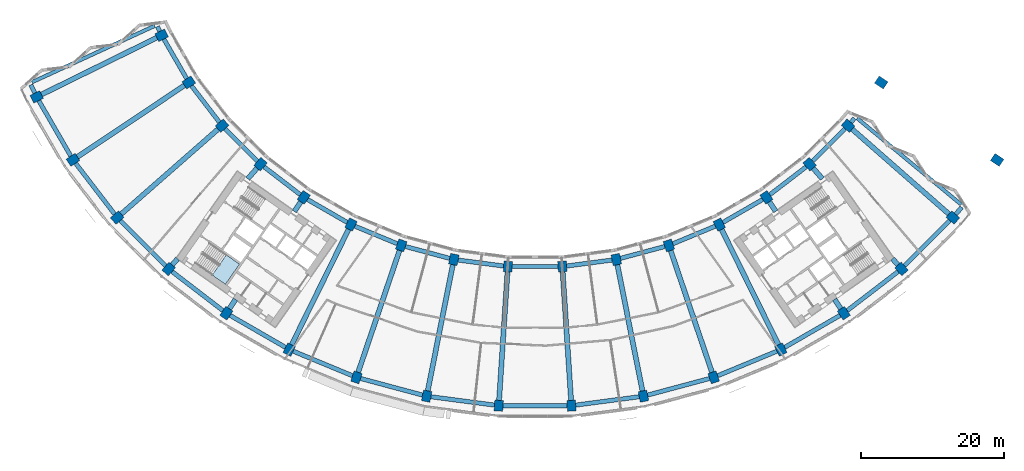
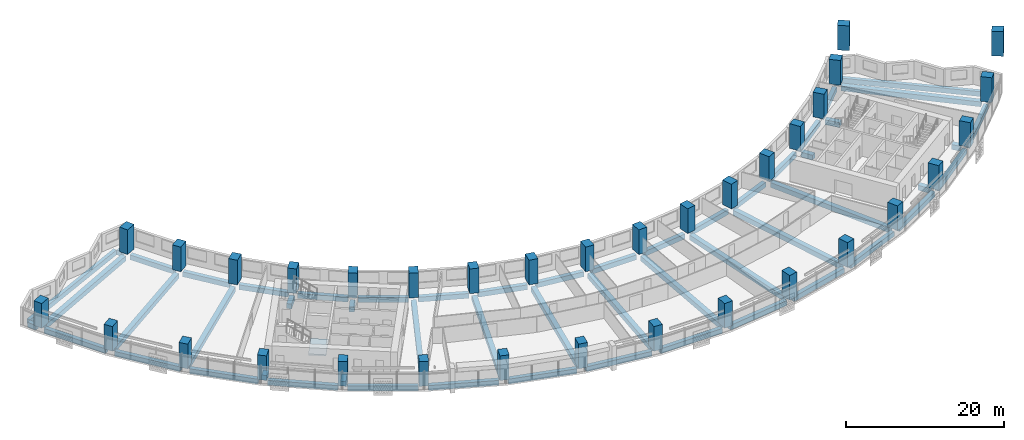
# One storey, part 1 of 29: 56 beams, 34 columns, 1 slab, 1 element without a shape of its own.
"""IFC4 building model written with IfcOpenShell, lengths in metres."""

from ifc_helpers import new_model, si_unit, direction, frame, origin, origin_2d, place, context, subcontext, project, spatial, polyline, rectangle, outline, extrude, material, layer, layer_set, material_profile, profile_set, type_object, element, aggregate, save


model = new_model("IFC4")

# Units and contexts
model_context = context("Model", 3, precision=1e-05, world=origin(), true_north=direction((0.0, 1.0)))
body_context = subcontext(model_context, "Body", "Model", "MODEL_VIEW")
ifc_project = project(units=[si_unit("LENGTHUNIT", "METRE"), si_unit("AREAUNIT", "SQUARE_METRE"), si_unit("VOLUMEUNIT", "CUBIC_METRE"), si_unit("PLANEANGLEUNIT", "RADIAN"), si_unit("MASSUNIT", "GRAM", prefix="KILO")], contexts=[model_context])

# Site, building, storey
site_placement = place(None, origin())
site = spatial("IfcSite", under=ifc_project, at=site_placement, CompositionType="ELEMENT")
building_placement = place(site_placement, origin())
building = spatial("IfcBuilding", under=site, at=building_placement, Name="Qamariyya Broadcast Tower", CompositionType="ELEMENT")
storey_placement = place(building_placement, frame((0.0, 0.0, 106.300048828125)))
storey = spatial("IfcBuildingStorey", under=building, at=storey_placement, Name="L23", CompositionType="ELEMENT", Elevation=106.300048828125)

# Columns
ifc_material_1 = material(Name="Concrete C70/85", Category="concrete")
ifc_material_profile_1 = material_profile(ifc_material_1, rectangle(XDim=1.199951171875, YDim=1.5, at=origin_2d()))
ifc_profile_set_1 = profile_set([ifc_material_profile_1], Name="Concrete C70/85")
column_type = type_object("IfcColumnType", Name="RC column 1200 x 1500 C70/85", PredefinedType="COLUMN", material=ifc_profile_set_1)
for number, where, z_axis, x_axis, name in (
    (1, (-52.242919921875, -25.763427734375, 0.0), (0.0, 0.0, 1.0), (0.442288690219, -0.896872741533, 0.0), "Column C7 L23 B-R02"),
    (2, (-69.73193359375, -34.387939453125, 0.0), (0.0, 0.0, 1.0), (0.442288690219, -0.896872741533, 0.0), "Column C7 L23 C-R02"),
    (3, (-48.43310546875, -32.362060546875, 0.0), (0.0, 0.0, 1.0), (0.55557023302, -0.831469612303, 0.0), "Column C7 L23 B-R03"),
    (4, (-64.646728515625, -43.195556640625, 0.0), (0.0, 0.0, 1.0), (0.55557023302, -0.831469612303, 0.0), "Column C7 L23 C-R03"),
    (5, (-43.794677734375, -38.406982421875, 0.0), (0.0, 0.0, 1.0), (0.6593458151, -0.751839807479, 0.0), "Column C7 L23 B-R04"),
    (6, (-58.45556640625, -51.26416015625, 0.0), (0.0, 0.0, 1.0), (0.6593458151, -0.751839807479, 0.0), "Column C7 L23 C-R04"),
    (7, (-38.406982421875, -43.794677734375, 0.0), (0.0, 0.0, 1.0), (0.751839807479, -0.6593458151, 0.0), "Column C7 L23 B-R05"),
    (8, (-51.26416015625, -58.45556640625, 0.0), (0.0, 0.0, 1.0), (0.751839807479, -0.6593458151, 0.0), "Column C7 L23 C-R05"),
    (9, (-32.362060546875, -48.43310546875, 0.0), (0.0, 0.0, 1.0), (0.831469612303, -0.55557023302, 0.0), "Column C7 L23 B-R06"),
    (10, (-43.195556640625, -64.646728515625, 0.0), (0.0, 0.0, 1.0), (0.831469612303, -0.55557023302, 0.0), "Column C7 L23 C-R06"),
    (11, (-25.763427734375, -52.242919921875, 0.0), (0.0, 0.0, 1.0), (0.896872741533, -0.442288690219, 0.0), "Column C7 L23 B-R07"),
    (12, (-34.387939453125, -69.73193359375, 0.0), (0.0, 0.0, 1.0), (0.896872741533, -0.442288690219, 0.0), "Column C7 L23 C-R07"),
    (13, (-18.723876953125, -55.15869140625, 0.0), (0.0, 0.0, 1.0), (0.946930129495, -0.321439465303, 0.0), "Column C7 L23 B-R08"),
    (14, (-24.991943359375, -73.623779296875, 0.0), (0.0, 0.0, 1.0), (0.946930129495, -0.321439465303, 0.0), "Column C7 L23 C-R08"),
    (15, (-11.364013671875, -57.130859375, 0.0), (0.0, 0.0, 1.0), (0.980785280403, -0.195090322016, 0.0), "Column C7 L23 B-R09"),
    (16, (-15.168212890625, -76.256103515625, 0.0), (0.0, 0.0, 1.0), (0.980785280403, -0.195090322016, 0.0), "Column C7 L23 C-R09"),
    (17, (-3.809814453125, -58.125244140625, 0.0), (0.0, 0.0, 1.0), (0.997858923239, -0.06540312923, 0.0), "Column C7 L23 B-R10"),
    (18, (-5.085205078125, -77.58349609375, 0.0), (0.0, 0.0, 1.0), (0.997858923239, -0.06540312923, 0.0), "Column C7 L23 C-R10"),
    (19, (3.809814453125, -58.125244140625, 0.0), (0.0, 0.0, 1.0), (0.997858923239, 0.06540312923, 0.0), "Column C7 L23 B-R11"),
    (20, (5.085205078125, -77.58349609375, 0.0), (0.0, 0.0, 1.0), (0.997858923239, 0.06540312923, 0.0), "Column C7 L23 C-R11"),
    (21, (11.364013671875, -57.130859375, 0.0), (0.0, 0.0, 1.0), (0.980785280403, 0.195090322016, 0.0), "Column C7 L23 B-R12"),
    (22, (15.168212890625, -76.256103515625, 0.0), (0.0, 0.0, 1.0), (0.980785280403, 0.195090322016, 0.0), "Column C7 L23 C-R12"),
    (23, (18.723876953125, -55.15869140625, 0.0), (0.0, 0.0, 1.0), (0.946930129495, 0.321439465303, 0.0), "Column C7 L23 B-R13"),
    (24, (24.991943359375, -73.623779296875, 0.0), (0.0, 0.0, 1.0), (0.946930129495, 0.321439465303, 0.0), "Column C7 L23 C-R13"),
    (25, (25.763427734375, -52.242919921875, 0.0), (0.0, 0.0, 1.0), (0.896872741533, 0.442288690219, 0.0), "Column C7 L23 B-R14"),
    (26, (34.387939453125, -69.73193359375, 0.0), (0.0, 0.0, 1.0), (0.896872741533, 0.442288690219, 0.0), "Column C7 L23 C-R14"),
    (27, (32.362060546875, -48.43310546875, 0.0), (0.0, 0.0, 1.0), (0.831469612303, 0.55557023302, 0.0), "Column C7 L23 B-R15"),
    (28, (43.195556640625, -64.646728515625, 0.0), (0.0, 0.0, 1.0), (0.831469612303, 0.55557023302, 0.0), "Column C7 L23 C-R15"),
    (29, (38.406982421875, -43.794677734375, 0.0), (0.0, 0.0, 1.0), (0.751839807479, 0.6593458151, 0.0), "Column C7 L23 B-R16"),
    (30, (51.26416015625, -58.45556640625, 0.0), (0.0, 0.0, 1.0), (0.751839807479, 0.6593458151, 0.0), "Column C7 L23 C-R16"),
    (31, (43.794677734375, -38.406982421875, 0.0), (0.0, 0.0, 1.0), (0.6593458151, 0.751839807479, 0.0), "Column C7 L23 B-R17"),
    (32, (58.45556640625, -51.26416015625, 0.0), (0.0, 0.0, 1.0), (0.6593458151, 0.751839807479, 0.0), "Column C7 L23 C-R17"),
    (33, (48.43310546875, -32.362060546875, 0.0), (0.0, 0.0, 1.0), (0.55557023302, 0.831469612303, 0.0), "Column C7 L23 B-R18"),
    (34, (64.646728515625, -43.195556640625, 0.0), (0.0, 0.0, 1.0), (0.55557023302, 0.831469612303, 0.0), "Column C7 L23 C-R18"),
):
    element("IfcColumn", number, at=place(storey_placement, frame(where, z_axis=z_axis, x_axis=x_axis)), inside=storey, type_object=column_type, Name=name, PredefinedType="COLUMN", context=body_context, shape_type="SweptSolid", body=[
        extrude(rectangle(XDim=1.199951171875, YDim=1.5, at=origin_2d()), origin(), (0.0, 0.0, 1.0), 3.800048828125),
    ])

# Beams
ifc_material_2 = material(Name="Concrete C50/60", Category="concrete")
ifc_material_profile_2 = material_profile(ifc_material_2, rectangle(XDim=0.60009765625, YDim=0.75, at=origin_2d()))
ifc_profile_set_2 = profile_set([ifc_material_profile_2], Name="Concrete C50/60")
beam_type_1 = type_object("IfcBeamType", Name="RC edge beam 600 x 750 C50/60", PredefinedType="SPANDREL", material=ifc_profile_set_2)
for number, where, z_axis, x_axis, name in (
    (35, (-51.942138671875, -26.283935546875, -0.675048828125), (0.49999360328, -0.866029096901, 0.0), (0.866029096901, 0.49999360328, 0.0), "Edge beam B15 L23 B R02-R03"),
    (36, (-48.067138671875, -32.839111328125, -0.675048828125), (0.608778135192, -0.793340520906, 0.0), (0.793340520906, 0.608778135192, 0.0), "Edge beam B15 L23 B R03-R04"),
):
    element("IfcBeam", number, at=place(storey_placement, frame(where, z_axis=z_axis, x_axis=x_axis)), inside=storey, type_object=beam_type_1, Name=name, PredefinedType="SPANDREL", context=body_context, shape_type="SweptSolid", body=[
        extrude(rectangle(XDim=0.60009765625, YDim=0.75, at=origin_2d()), origin(), (0.0, 0.0, 1.0), 6.4169921875),
    ])
beam_1_placement = place(storey_placement, frame((-43.369384765625, -38.83203125, -0.675048828125), z_axis=(0.707106781187, -0.707106781187, 0.0), x_axis=(0.707106781187, 0.707106781187, 0.0)))
element("IfcBeam", 37, at=beam_1_placement, inside=storey, type_object=beam_type_1, Name="Edge beam B15 L23 B R04-R05", PredefinedType="SPANDREL", context=body_context, shape_type="SweptSolid", body=[
    extrude(rectangle(XDim=0.60009765625, YDim=0.75, at=origin_2d()), origin(), (0.0, 0.0, 1.0), 6.416748046875),
])
for number, where, z_axis, x_axis, name in (
    (38, (-37.929931640625, -44.16064453125, -0.675048828125), (0.793340520906, -0.608778135192, 0.0), (0.608778135192, 0.793340520906, 0.0), "Edge beam B15 L23 B R05-R06"),
    (39, (-31.84130859375, -48.733642578125, -0.675048828125), (0.866029096901, -0.49999360328, 0.0), (0.49999360328, 0.866029096901, 0.0), "Edge beam B15 L23 B R06-R07"),
    (40, (-25.207763671875, -52.472900390625, -0.675048828125), (0.923884212686, -0.382672133229, 0.0), (0.382672133229, 0.923884212686, 0.0), "Edge beam B15 L23 B R07-R08"),
    (41, (-18.14306640625, -55.314208984375, -0.675048828125), (0.965922916603, -0.258829903956, 0.0), (0.258829903956, 0.965922916603, 0.0), "Edge beam B15 L23 B R08-R09"),
    (42, (-10.767822265625, -57.209228515625, -0.675048828125), (0.991443543958, -0.1305361986, 0.0), (0.1305361986, 0.991443543958, 0.0), "Edge beam B15 L23 B R09-R10"),
    (43, (-3.20849609375, -58.125244140625, -0.675048828125), (1.0, 0.0, 0.0), (0.0, 1.0, 0.0), "Edge beam B15 L23 B R10-R11"),
    (44, (4.40576171875, -58.046875, -0.675048828125), (0.991443543958, 0.1305361986, 0.0), (-0.1305361986, 0.991443543958, 0.0), "Edge beam B15 L23 B R11-R12"),
    (45, (11.94482421875, -56.97509765625, -0.675048828125), (0.965922916603, 0.258829903956, 0.0), (-0.258829903956, 0.965922916603, 0.0), "Edge beam B15 L23 B R12-R13"),
    (46, (19.279296875, -54.928466796875, -0.675048828125), (0.923884212686, 0.382672133229, 0.0), (-0.382672133229, 0.923884212686, 0.0), "Edge beam B15 L23 B R13-R14"),
    (47, (26.283935546875, -51.942138671875, -0.675048828125), (0.866029096901, 0.49999360328, 0.0), (-0.49999360328, 0.866029096901, 0.0), "Edge beam B15 L23 B R14-R15"),
    (48, (32.839111328125, -48.067138671875, -0.675048828125), (0.793340520906, 0.608778135192, 0.0), (-0.608778135192, 0.793340520906, 0.0), "Edge beam B15 L23 B R15-R16"),
):
    element("IfcBeam", number, at=place(storey_placement, frame(where, z_axis=z_axis, x_axis=x_axis)), inside=storey, type_object=beam_type_1, Name=name, PredefinedType="SPANDREL", context=body_context, shape_type="SweptSolid", body=[
        extrude(rectangle(XDim=0.60009765625, YDim=0.75, at=origin_2d()), origin(), (0.0, 0.0, 1.0), 6.4169921875),
    ])
beam_2_placement = place(storey_placement, frame((38.83203125, -43.369384765625, -0.675048828125), z_axis=(0.707106781187, 0.707106781187, 0.0), x_axis=(-0.707106781187, 0.707106781187, 0.0)))
element("IfcBeam", 49, at=beam_2_placement, inside=storey, type_object=beam_type_1, Name="Edge beam B15 L23 B R16-R17", PredefinedType="SPANDREL", context=body_context, shape_type="SweptSolid", body=[
    extrude(rectangle(XDim=0.60009765625, YDim=0.75, at=origin_2d()), origin(), (0.0, 0.0, 1.0), 6.416748046875),
])
beam_3_placement = place(storey_placement, frame((-69.43115234375, -34.90869140625, -0.675048828125), z_axis=(0.499989544228, -0.866031440343, 0.0), x_axis=(0.866031440343, 0.499989544228, 0.0)))
element("IfcBeam", 50, at=beam_3_placement, inside=storey, type_object=beam_type_1, Name="Edge beam B15 L23 C R02-R03", PredefinedType="SPANDREL", context=body_context, shape_type="SweptSolid", body=[
    extrude(rectangle(XDim=0.60009765625, YDim=0.75, at=origin_2d()), origin(), (0.0, 0.0, 1.0), 8.967529296875),
])
beam_4_placement = place(storey_placement, frame((-64.28076171875, -43.672607421875, -0.675048828125), z_axis=(0.608766985019, -0.793349076984, 0.0), x_axis=(0.793349076984, 0.608766985019, 0.0)))
element("IfcBeam", 51, at=beam_4_placement, inside=storey, type_object=beam_type_1, Name="Edge beam B15 L23 C R03-R04", PredefinedType="SPANDREL", context=body_context, shape_type="SweptSolid", body=[
    extrude(rectangle(XDim=0.60009765625, YDim=0.75, at=origin_2d()), origin(), (0.0, 0.0, 1.0), 8.9677734375),
])
beam_5_placement = place(storey_placement, frame((-58.0302734375, -51.689208984375, -0.675048828125), z_axis=(0.707106781187, -0.707106781187, 0.0), x_axis=(0.707106781187, 0.707106781187, 0.0)))
element("IfcBeam", 52, at=beam_5_placement, inside=storey, type_object=beam_type_1, Name="Edge beam B15 L23 C R04-R05", PredefinedType="SPANDREL", context=body_context, shape_type="SweptSolid", body=[
    extrude(rectangle(XDim=0.60009765625, YDim=0.75, at=origin_2d()), origin(), (0.0, 0.0, 1.0), 8.967529296875),
])
beam_6_placement = place(storey_placement, frame((-50.787109375, -58.821533203125, -0.675048828125), z_axis=(0.793349076984, -0.608766985019, 0.0), x_axis=(0.608766985019, 0.793349076984, 0.0)))
element("IfcBeam", 53, at=beam_6_placement, inside=storey, type_object=beam_type_1, Name="Edge beam B15 L23 C R05-R06", PredefinedType="SPANDREL", context=body_context, shape_type="SweptSolid", body=[
    extrude(rectangle(XDim=0.60009765625, YDim=0.75, at=origin_2d()), origin(), (0.0, 0.0, 1.0), 8.9677734375),
])
beam_7_placement = place(storey_placement, frame((-42.6748046875, -64.947509765625, -0.675048828125), z_axis=(0.866031440343, -0.499989544228, 0.0), x_axis=(0.499989544228, 0.866031440343, 0.0)))
element("IfcBeam", 54, at=beam_7_placement, inside=storey, type_object=beam_type_1, Name="Edge beam B15 L23 C R06-R07", PredefinedType="SPANDREL", context=body_context, shape_type="SweptSolid", body=[
    extrude(rectangle(XDim=0.60009765625, YDim=0.75, at=origin_2d()), origin(), (0.0, 0.0, 1.0), 8.967529296875),
])
beam_8_placement = place(storey_placement, frame((-33.83251953125, -69.9619140625, -0.675048828125), z_axis=(0.923877140182, -0.382689207907, 0.0), x_axis=(0.382689207907, 0.923877140182, 0.0)))
element("IfcBeam", 55, at=beam_8_placement, inside=storey, type_object=beam_type_1, Name="Edge beam B15 L23 C R07-R08", PredefinedType="SPANDREL", context=body_context, shape_type="SweptSolid", body=[
    extrude(rectangle(XDim=0.60009765625, YDim=0.75, at=origin_2d()), origin(), (0.0, 0.0, 1.0), 8.9677734375),
])
for number, where, z_axis, x_axis, name in (
    (56, (-24.4111328125, -73.779541015625, -0.675048828125), (0.965931525183, -0.258797775603, 0.0), (0.258797775603, 0.965931525183, 0.0), "Edge beam B15 L23 C R08-R09"),
    (57, (-14.572021484375, -76.33447265625, -0.675048828125), (0.991442708618, -0.130542542983, 0.0), (0.130542542983, 0.991442708618, 0.0), "Edge beam B15 L23 C R09-R10"),
):
    element("IfcBeam", number, at=place(storey_placement, frame(where, z_axis=z_axis, x_axis=x_axis)), inside=storey, type_object=beam_type_1, Name=name, PredefinedType="SPANDREL", context=body_context, shape_type="SweptSolid", body=[
        extrude(rectangle(XDim=0.60009765625, YDim=0.75, at=origin_2d()), origin(), (0.0, 0.0, 1.0), 8.967529296875),
    ])
beam_9_placement = place(storey_placement, frame((-4.48388671875, -77.58349609375, -0.675048828125), z_axis=(1.0, 0.0, 0.0), x_axis=(0.0, 1.0, 0.0)))
element("IfcBeam", 58, at=beam_9_placement, inside=storey, type_object=beam_type_1, Name="Edge beam B15 L23 C R10-R11", PredefinedType="SPANDREL", context=body_context, shape_type="SweptSolid", body=[
    extrude(rectangle(XDim=0.60009765625, YDim=0.75, at=origin_2d()), origin(), (0.0, 0.0, 1.0), 8.9677734375),
])
for number, where, z_axis, x_axis, name in (
    (59, (5.68115234375, -77.505126953125, -0.675048828125), (0.991442708618, 0.130542542983, 0.0), (-0.130542542983, 0.991442708618, 0.0), "Edge beam B15 L23 C R11-R12"),
    (60, (15.7490234375, -76.100341796875, -0.675048828125), (0.965931525183, 0.258797775603, 0.0), (-0.258797775603, 0.965931525183, 0.0), "Edge beam B15 L23 C R12-R13"),
):
    element("IfcBeam", number, at=place(storey_placement, frame(where, z_axis=z_axis, x_axis=x_axis)), inside=storey, type_object=beam_type_1, Name=name, PredefinedType="SPANDREL", context=body_context, shape_type="SweptSolid", body=[
        extrude(rectangle(XDim=0.60009765625, YDim=0.75, at=origin_2d()), origin(), (0.0, 0.0, 1.0), 8.967529296875),
    ])
beam_10_placement = place(storey_placement, frame((25.54736328125, -73.393798828125, -0.675048828125), z_axis=(0.923877140182, 0.382689207907, 0.0), x_axis=(-0.382689207907, 0.923877140182, 0.0)))
element("IfcBeam", 61, at=beam_10_placement, inside=storey, type_object=beam_type_1, Name="Edge beam B15 L23 C R13-R14", PredefinedType="SPANDREL", context=body_context, shape_type="SweptSolid", body=[
    extrude(rectangle(XDim=0.60009765625, YDim=0.75, at=origin_2d()), origin(), (0.0, 0.0, 1.0), 8.9677734375),
])
beam_11_placement = place(storey_placement, frame((34.90869140625, -69.43115234375, -0.675048828125), z_axis=(0.866031440343, 0.499989544228, 0.0), x_axis=(-0.499989544228, 0.866031440343, 0.0)))
element("IfcBeam", 62, at=beam_11_placement, inside=storey, type_object=beam_type_1, Name="Edge beam B15 L23 C R14-R15", PredefinedType="SPANDREL", context=body_context, shape_type="SweptSolid", body=[
    extrude(rectangle(XDim=0.60009765625, YDim=0.75, at=origin_2d()), origin(), (0.0, 0.0, 1.0), 8.967529296875),
])
beam_12_placement = place(storey_placement, frame((43.672607421875, -64.28076171875, -0.675048828125), z_axis=(0.793349076984, 0.608766985019, 0.0), x_axis=(-0.608766985019, 0.793349076984, 0.0)))
element("IfcBeam", 63, at=beam_12_placement, inside=storey, type_object=beam_type_1, Name="Edge beam B15 L23 C R15-R16", PredefinedType="SPANDREL", context=body_context, shape_type="SweptSolid", body=[
    extrude(rectangle(XDim=0.60009765625, YDim=0.75, at=origin_2d()), origin(), (0.0, 0.0, 1.0), 8.9677734375),
])
beam_13_placement = place(storey_placement, frame((51.689208984375, -58.0302734375, -0.675048828125), z_axis=(0.707106781187, 0.707106781187, 0.0), x_axis=(-0.707106781187, 0.707106781187, 0.0)))
element("IfcBeam", 64, at=beam_13_placement, inside=storey, type_object=beam_type_1, Name="Edge beam B15 L23 C R16-R17", PredefinedType="SPANDREL", context=body_context, shape_type="SweptSolid", body=[
    extrude(rectangle(XDim=0.60009765625, YDim=0.75, at=origin_2d()), origin(), (0.0, 0.0, 1.0), 8.967529296875),
])
ifc_material_profile_3 = material_profile(ifc_material_2, rectangle(XDim=0.60009765625, YDim=0.75, at=origin_2d()))
ifc_profile_set_3 = profile_set([ifc_material_profile_3], Name="Concrete C50/60")
beam_type_2 = type_object("IfcBeamType", Name="RC horn beam 600 x 750 C50/60", PredefinedType="BEAM", material=ifc_profile_set_3)
beam_14_placement = place(storey_placement, frame((-52.500732421875, -25.221435546875, -0.675048828125), z_axis=(-0.429933580392, 0.902860518824, 0.0), x_axis=(-0.902860518824, -0.429933580392, 0.0)))
element("IfcBeam", 65, at=beam_14_placement, inside=storey, type_object=beam_type_2, Name="Horn beam B14 L23 W B-R02", PredefinedType="BEAM", context=body_context, shape_type="SweptSolid", body=[
    extrude(rectangle(XDim=0.60009765625, YDim=0.75, at=origin_2d()), origin(), (0.0, 0.0, 1.0), 0.75537109375),
])
beam_15_placement = place(storey_placement, frame((-69.98974609375, -33.84619140625, -0.675048828125), z_axis=(-0.429984890669, 0.90283608357, 0.0), x_axis=(-0.90283608357, -0.429984890669, 0.0)))
element("IfcBeam", 66, at=beam_15_placement, inside=storey, type_object=beam_type_2, Name="Horn beam B14 L23 W C-R02", PredefinedType="BEAM", context=body_context, shape_type="SweptSolid", body=[
    extrude(rectangle(XDim=0.60009765625, YDim=0.75, at=origin_2d()), origin(), (0.0, 0.0, 1.0), 1.29296875),
])
beam_16_placement = place(storey_placement, frame((44.18408203125, -37.950439453125, -0.675048828125), z_axis=(0.648979621091, 0.760805790861, 0.0), x_axis=(-0.760805790861, 0.648979621091, 0.0)))
element("IfcBeam", 67, at=beam_16_placement, inside=storey, type_object=beam_type_2, Name="Horn beam B14 L23 E B-R17", PredefinedType="BEAM", context=body_context, shape_type="SweptSolid", body=[
    extrude(rectangle(XDim=0.60009765625, YDim=0.75, at=origin_2d()), origin(), (0.0, 0.0, 1.0), 0.75537109375),
])
beam_17_placement = place(storey_placement, frame((58.844970703125, -50.8076171875, -0.675048828125), z_axis=(0.648891944487, 0.760880571693, 0.0), x_axis=(-0.760880571693, 0.648891944487, 0.0)))
element("IfcBeam", 68, at=beam_17_placement, inside=storey, type_object=beam_type_2, Name="Horn beam B14 L23 E C-R17", PredefinedType="BEAM", context=body_context, shape_type="SweptSolid", body=[
    extrude(rectangle(XDim=0.60009765625, YDim=0.75, at=origin_2d()), origin(), (0.0, 0.0, 1.0), 1.292724609375),
])
ifc_material_profile_4 = material_profile(ifc_material_2, rectangle(XDim=0.5, YDim=0.75, at=origin_2d()))
ifc_profile_set_4 = profile_set([ifc_material_profile_4], Name="Concrete C50/60")
beam_type_3 = type_object("IfcBeamType", Name="RC horn cap beam 500 x 750 C50/60", PredefinedType="BEAM", material=ifc_profile_set_4)
for number, where, z_axis, x_axis, name in (
    (69, (-53.20556640625, -24.43896484375, -0.675048828125), (-0.908721208697, -0.417403599486, 0.0), (0.417403599486, -0.908721208697, 0.0), "Horn cap beam B17 L23 W B-C"),
    (70, (45.0673828125, -37.376953125, -0.675048828125), (0.769729010157, -0.638370778562, 0.0), (0.638370778562, 0.769729010157, 0.0), "Horn cap beam B17 L23 E B-C"),
):
    element("IfcBeam", number, at=place(storey_placement, frame(where, z_axis=z_axis, x_axis=x_axis)), inside=storey, type_object=beam_type_3, Name=name, PredefinedType="BEAM", context=body_context, shape_type="SweptSolid", body=[
        extrude(rectangle(XDim=0.5, YDim=0.75, at=origin_2d()), origin(), (0.0, 0.0, 1.0), 18.89990234375),
    ])
ifc_material_profile_5 = material_profile(ifc_material_2, rectangle(XDim=0.699951171875, YDim=0.75, at=origin_2d()))
ifc_profile_set_5 = profile_set([ifc_material_profile_5], Name="Concrete C50/60")
beam_type_4 = type_object("IfcBeamType", Name="RC radial beam 700 x 750 C50/60", PredefinedType="BEAM", material=ifc_profile_set_5)
beam_18_placement = place(storey_placement, frame((-52.91552734375, -26.094970703125, -0.675048828125), z_axis=(-0.896871386501, -0.442291437941, 0.0), x_axis=(0.442291437941, -0.896871386501, 0.0)))
element("IfcBeam", 71, at=beam_18_placement, inside=storey, type_object=beam_type_4, Name="Radial beam B13 L23 R02 B-C", PredefinedType="BEAM", context=body_context, shape_type="SweptSolid", body=[
    extrude(rectangle(XDim=0.699951171875, YDim=0.75, at=origin_2d()), origin(), (0.0, 0.0, 1.0), 17.999755859375),
])
beam_19_placement = place(storey_placement, frame((-49.056640625, -32.778564453125, -0.675048828125), z_axis=(-0.831471836778, -0.555566903843, 0.0), x_axis=(0.555566903843, -0.831471836778, 0.0)))
element("IfcBeam", 72, at=beam_19_placement, inside=storey, type_object=beam_type_4, Name="Radial beam B13 L23 R03 B-C", PredefinedType="BEAM", context=body_context, shape_type="SweptSolid", body=[
    extrude(rectangle(XDim=0.699951171875, YDim=0.75, at=origin_2d()), origin(), (0.0, 0.0, 1.0), 18.0),
])
beam_20_placement = place(storey_placement, frame((-44.358642578125, -38.9013671875, -0.675048828125), z_axis=(-0.751837671483, -0.659348250729, 0.0), x_axis=(0.659348250729, -0.751837671483, 0.0)))
element("IfcBeam", 73, at=beam_20_placement, inside=storey, type_object=beam_type_4, Name="Radial beam B13 L23 R04 B-C", PredefinedType="BEAM", context=body_context, shape_type="SweptSolid", body=[
    extrude(rectangle(XDim=0.699951171875, YDim=0.75, at=origin_2d()), origin(), (0.0, 0.0, 1.0), 17.999755859375),
])
beam_21_placement = place(storey_placement, frame((-38.9013671875, -44.358642578125, -0.675048828125), z_axis=(-0.659376140982, -0.751813211312, 0.0), x_axis=(0.751813211312, -0.659376140982, 0.0)))
element("IfcBeam", 74, at=beam_21_placement, inside=storey, type_object=beam_type_4, Name="Radial beam B13 L23 R05 B-C", PredefinedType="BEAM", context=body_context, shape_type="SweptSolid", body=[
    extrude(rectangle(XDim=0.699951171875, YDim=0.75, at=origin_2d()), origin(), (0.0, 0.0, 1.0), 1.96240234375),
])
beam_22_placement = place(storey_placement, frame((-50.011962890625, -57.027587890625, -0.675048828125), z_axis=(-0.659271387296, -0.751905072395, 0.0), x_axis=(0.751905072395, -0.659271387296, 0.0)))
element("IfcBeam", 75, at=beam_22_placement, inside=storey, type_object=beam_type_4, Name="Radial beam B13 L23 R05 B-C", PredefinedType="BEAM", context=body_context, shape_type="SweptSolid", body=[
    extrude(rectangle(XDim=0.699951171875, YDim=0.75, at=origin_2d()), origin(), (0.0, 0.0, 1.0), 1.149169921875),
])
beam_23_placement = place(storey_placement, frame((-32.778564453125, -49.056640625, -0.675048828125), z_axis=(-0.555537373717, -0.831491567248, 0.0), x_axis=(0.831491567248, -0.555537373717, 0.0)))
element("IfcBeam", 76, at=beam_23_placement, inside=storey, type_object=beam_type_4, Name="Radial beam B13 L23 R06 B-C", PredefinedType="BEAM", context=body_context, shape_type="SweptSolid", body=[
    extrude(rectangle(XDim=0.699951171875, YDim=0.75, at=origin_2d()), origin(), (0.0, 0.0, 1.0), 1.614501953125),
])
beam_24_placement = place(storey_placement, frame((-41.89990234375, -62.707763671875, -0.675048828125), z_axis=(-0.555554602959, -0.831480055762, 0.0), x_axis=(0.831480055762, -0.555554602959, 0.0)))
element("IfcBeam", 77, at=beam_24_placement, inside=storey, type_object=beam_type_4, Name="Radial beam B13 L23 R06 B-C", PredefinedType="BEAM", context=body_context, shape_type="SweptSolid", body=[
    extrude(rectangle(XDim=0.699951171875, YDim=0.75, at=origin_2d()), origin(), (0.0, 0.0, 1.0), 1.58203125),
])
beam_25_placement = place(storey_placement, frame((-26.094970703125, -52.91552734375, -0.675048828125), z_axis=(-0.442291437941, -0.896871386501, 0.0), x_axis=(0.896871386501, -0.442291437941, 0.0)))
element("IfcBeam", 78, at=beam_25_placement, inside=storey, type_object=beam_type_4, Name="Radial beam B13 L23 R07 B-C", PredefinedType="BEAM", context=body_context, shape_type="SweptSolid", body=[
    extrude(rectangle(XDim=0.699951171875, YDim=0.75, at=origin_2d()), origin(), (0.0, 0.0, 1.0), 17.999755859375),
])
beam_26_placement = place(storey_placement, frame((-18.96484375, -55.868896484375, -0.675048828125), z_axis=(-0.321439476461, -0.946930125707, 0.0), x_axis=(0.946930125707, -0.321439476461, 0.0)))
element("IfcBeam", 79, at=beam_26_placement, inside=storey, type_object=beam_type_4, Name="Radial beam B13 L23 R08 B-C", PredefinedType="BEAM", context=body_context, shape_type="SweptSolid", body=[
    extrude(rectangle(XDim=0.699951171875, YDim=0.75, at=origin_2d()), origin(), (0.0, 0.0, 1.0), 18.0),
])
beam_27_placement = place(storey_placement, frame((-11.51025390625, -57.8662109375, -0.675048828125), z_axis=(-0.195093569287, -0.980784634475, 0.0), x_axis=(0.980784634475, -0.195093569287, 0.0)))
element("IfcBeam", 80, at=beam_27_placement, inside=storey, type_object=beam_type_4, Name="Radial beam B13 L23 R09 B-C", PredefinedType="BEAM", context=body_context, shape_type="SweptSolid", body=[
    extrude(rectangle(XDim=0.699951171875, YDim=0.75, at=origin_2d()), origin(), (0.0, 0.0, 1.0), 18.000244140625),
])
for number, where, z_axis, x_axis, name in (
    (81, (-3.85888671875, -58.873779296875, -0.675048828125), (-0.065402689504, -0.99785895206, 0.0), (0.99785895206, -0.065402689504, 0.0), "Radial beam B13 L23 R10 B-C"),
    (82, (3.85888671875, -58.873779296875, -0.675048828125), (0.065402689504, -0.99785895206, 0.0), (0.99785895206, 0.065402689504, 0.0), "Radial beam B13 L23 R11 B-C"),
):
    element("IfcBeam", number, at=place(storey_placement, frame(where, z_axis=z_axis, x_axis=x_axis)), inside=storey, type_object=beam_type_4, Name=name, PredefinedType="BEAM", context=body_context, shape_type="SweptSolid", body=[
        extrude(rectangle(XDim=0.699951171875, YDim=0.75, at=origin_2d()), origin(), (0.0, 0.0, 1.0), 18.0),
    ])
beam_28_placement = place(storey_placement, frame((11.51025390625, -57.8662109375, -0.675048828125), z_axis=(0.195093569287, -0.980784634475, 0.0), x_axis=(0.980784634475, 0.195093569287, 0.0)))
element("IfcBeam", 83, at=beam_28_placement, inside=storey, type_object=beam_type_4, Name="Radial beam B13 L23 R12 B-C", PredefinedType="BEAM", context=body_context, shape_type="SweptSolid", body=[
    extrude(rectangle(XDim=0.699951171875, YDim=0.75, at=origin_2d()), origin(), (0.0, 0.0, 1.0), 18.000244140625),
])
beam_29_placement = place(storey_placement, frame((18.96484375, -55.868896484375, -0.675048828125), z_axis=(0.321439476461, -0.946930125707, 0.0), x_axis=(0.946930125707, 0.321439476461, 0.0)))
element("IfcBeam", 84, at=beam_29_placement, inside=storey, type_object=beam_type_4, Name="Radial beam B13 L23 R13 B-C", PredefinedType="BEAM", context=body_context, shape_type="SweptSolid", body=[
    extrude(rectangle(XDim=0.699951171875, YDim=0.75, at=origin_2d()), origin(), (0.0, 0.0, 1.0), 18.0),
])
beam_30_placement = place(storey_placement, frame((26.094970703125, -52.91552734375, -0.675048828125), z_axis=(0.442291437941, -0.896871386501, 0.0), x_axis=(0.896871386501, 0.442291437941, 0.0)))
element("IfcBeam", 85, at=beam_30_placement, inside=storey, type_object=beam_type_4, Name="Radial beam B13 L23 R14 B-C", PredefinedType="BEAM", context=body_context, shape_type="SweptSolid", body=[
    extrude(rectangle(XDim=0.699951171875, YDim=0.75, at=origin_2d()), origin(), (0.0, 0.0, 1.0), 17.999755859375),
])
beam_31_placement = place(storey_placement, frame((32.778564453125, -49.056640625, -0.675048828125), z_axis=(0.555537373717, -0.831491567248, 0.0), x_axis=(0.831491567248, 0.555537373717, 0.0)))
element("IfcBeam", 86, at=beam_31_placement, inside=storey, type_object=beam_type_4, Name="Radial beam B13 L23 R15 B-C", PredefinedType="BEAM", context=body_context, shape_type="SweptSolid", body=[
    extrude(rectangle(XDim=0.699951171875, YDim=0.75, at=origin_2d()), origin(), (0.0, 0.0, 1.0), 1.614501953125),
])
beam_32_placement = place(storey_placement, frame((41.89990234375, -62.707763671875, -0.675048828125), z_axis=(0.555554602959, -0.831480055762, 0.0), x_axis=(0.831480055762, 0.555554602959, 0.0)))
element("IfcBeam", 87, at=beam_32_placement, inside=storey, type_object=beam_type_4, Name="Radial beam B13 L23 R15 B-C", PredefinedType="BEAM", context=body_context, shape_type="SweptSolid", body=[
    extrude(rectangle(XDim=0.699951171875, YDim=0.75, at=origin_2d()), origin(), (0.0, 0.0, 1.0), 1.58203125),
])
beam_33_placement = place(storey_placement, frame((38.9013671875, -44.358642578125, -0.675048828125), z_axis=(0.659376140982, -0.751813211312, 0.0), x_axis=(0.751813211312, 0.659376140982, 0.0)))
element("IfcBeam", 88, at=beam_33_placement, inside=storey, type_object=beam_type_4, Name="Radial beam B13 L23 R16 B-C", PredefinedType="BEAM", context=body_context, shape_type="SweptSolid", body=[
    extrude(rectangle(XDim=0.699951171875, YDim=0.75, at=origin_2d()), origin(), (0.0, 0.0, 1.0), 1.96240234375),
])
beam_34_placement = place(storey_placement, frame((50.011962890625, -57.027587890625, -0.675048828125), z_axis=(0.659271387296, -0.751905072395, 0.0), x_axis=(0.751905072395, 0.659271387296, 0.0)))
element("IfcBeam", 89, at=beam_34_placement, inside=storey, type_object=beam_type_4, Name="Radial beam B13 L23 R16 B-C", PredefinedType="BEAM", context=body_context, shape_type="SweptSolid", body=[
    extrude(rectangle(XDim=0.699951171875, YDim=0.75, at=origin_2d()), origin(), (0.0, 0.0, 1.0), 1.149169921875),
])
beam_35_placement = place(storey_placement, frame((44.358642578125, -38.9013671875, -0.675048828125), z_axis=(0.751837671483, -0.659348250729, 0.0), x_axis=(0.659348250729, 0.751837671483, 0.0)))
element("IfcBeam", 90, at=beam_35_placement, inside=storey, type_object=beam_type_4, Name="Radial beam B13 L23 R17 B-C", PredefinedType="BEAM", context=body_context, shape_type="SweptSolid", body=[
    extrude(rectangle(XDim=0.699951171875, YDim=0.75, at=origin_2d()), origin(), (0.0, 0.0, 1.0), 17.999755859375),
])

# Stair, slab
stair_type = type_object("IfcStairType", Name="Exit stair 22 risers of 173 mm", PredefinedType="HALF_TURN_STAIR", material=ifc_material_2)
stair_placement = place(storey_placement, origin())
stair = element("IfcStair", 91, at=stair_placement, inside=storey, type_object=stair_type, Name="L23 Stair W1", PredefinedType="HALF_TURN_STAIR")
ifc_layer = layer(ifc_material_2, 0.199951171875)
ifc_layer_set = layer_set([ifc_layer], Name="Stair landing")
slab_type = type_object("IfcSlabType", Name="Stair landing", PredefinedType="LANDING", material=ifc_layer_set)
slab_placement = place(storey_placement, frame((0.0, 0.0, 1.699951171875)))
slab = element("IfcSlab", 92, at=slab_placement, type_object=slab_type, Name="ST-W1 landing 1", PredefinedType="LANDING", context=body_context, shape_type="SweptSolid", body=[
    extrude(outline(polyline([(-45.169677734375, -59.319580078125), (-43.3271484375, -60.609619140625), (-41.348388671875, -57.783447265625), (-43.19091796875, -56.493408203125), (-45.169677734375, -59.319580078125)])), origin(), (0.0, 0.0, 1.0), 0.199951171875),
])
aggregate(stair, [slab])

save(model, "model.ifc")
